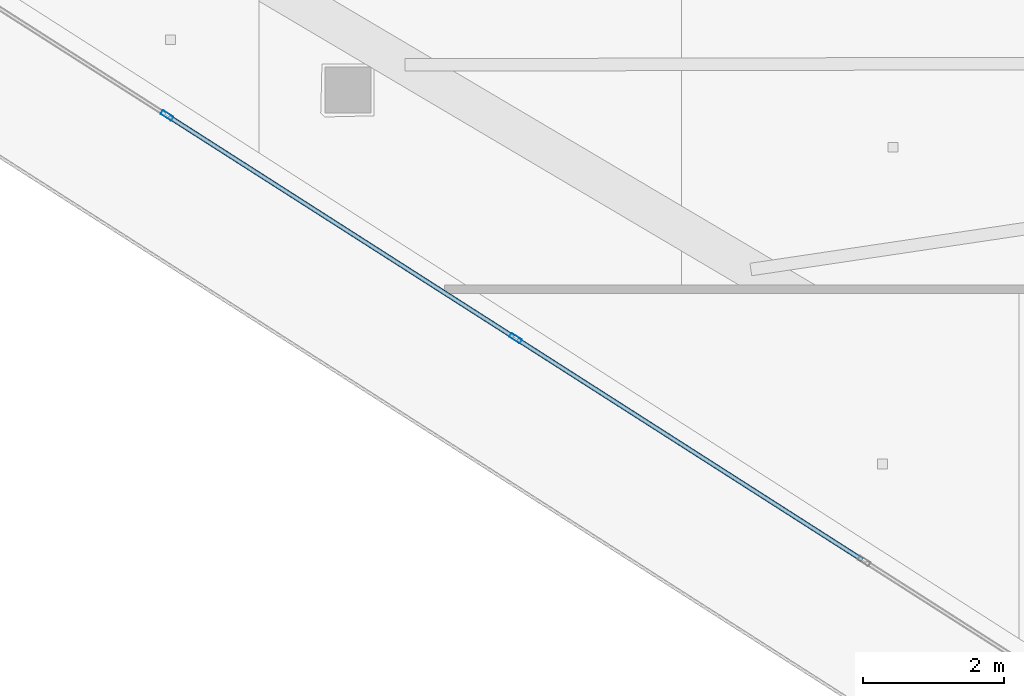
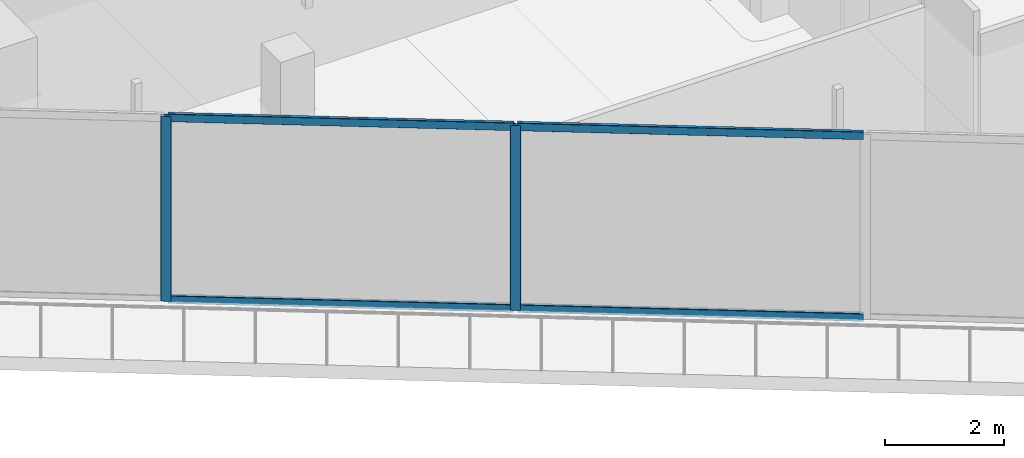
# One storey, part 4 of 35: 6 members, 1 element without a shape of its own.
"""IFC4 building model written with IfcOpenShell, lengths in metres."""

import ifcopenshell
import ifcopenshell.guid

model = None  # the IFC model being written
_history = None  # IfcOwnerHistory: only IFC2X3 demands one
_inside = {}  # id of a spatial element -> (the spatial element, [elements in it])
_under = {}  # id of a project, library or spatial element -> (it, [spatial elements below it])
_declared = {}  # id of a project -> (the project, [libraries it declares])
_typed = {}  # id of a type object -> (the type object, [elements of that type])
_made_of = {}  # id of a material, layer set ... -> (it, [elements and type objects made of it])


def new_model(schema):
    """Start an empty IFC model of exactly this schema.

    Asked for "IFC4X3", IfcOpenShell would pick the latest addendum, in which some entities
    have other attributes; the version numbers below select the first issue.
    IFC2X3 requires an IfcOwnerHistory on every rooted entity: one is made here for all.
    """
    global model, _history
    if schema == "IFC4X3":
        model = ifcopenshell.file(schema_version=(4, 3, 0, 0))
    else:
        model = ifcopenshell.file(schema=schema)
    _inside.clear()
    _under.clear()
    _declared.clear()
    _typed.clear()
    _made_of.clear()
    _history = None
    if model.schema == "IFC2X3":
        org = make("IfcOrganization", Name="unknown")
        user = make(
            "IfcPersonAndOrganization",
            ThePerson=make("IfcPerson", FamilyName="unknown"),
            TheOrganization=org,
        )
        app = make(
            "IfcApplication",
            ApplicationDeveloper=org,
            Version="unknown",
            ApplicationFullName="unknown",
            ApplicationIdentifier="unknown",
        )
        _history = make(
            "IfcOwnerHistory",
            OwningUser=user,
            OwningApplication=app,
            ChangeAction="ADDED",
            CreationDate=0,
        )
    return model


def make(cls, **values):
    """One entity of the class cls with the attributes given. An attribute that is None is left unset."""
    return model.create_entity(
        cls, **{name: value for name, value in values.items() if value is not None}
    )


def rooted(cls, **values):
    """An entity with a GlobalId (a new one), such as an element, a storey or a relation."""
    return make(cls, GlobalId=ifcopenshell.guid.new(), OwnerHistory=_history, **values)


def si_unit(unit_type, name, prefix=None):
    """IfcSIUnit, for example si_unit("LENGTHUNIT", "METRE", prefix="MILLI")."""
    return make("IfcSIUnit", UnitType=unit_type, Prefix=prefix, Name=name)


def assignment(units):
    """IfcUnitAssignment: the units of a project."""
    return None if units is None else make("IfcUnitAssignment", Units=units)


def point(xyz):
    """IfcCartesianPoint."""
    return None if xyz is None else make("IfcCartesianPoint", Coordinates=xyz)


def direction(xyz):
    """IfcDirection."""
    return None if xyz is None else make("IfcDirection", DirectionRatios=xyz)


def frame(location, z_axis=None, x_axis=None):
    """IfcAxis2Placement3D, a coordinate frame: its origin and axes. An axis left out is left unset."""
    return make(
        "IfcAxis2Placement3D",
        Location=point(location),
        Axis=direction(z_axis),
        RefDirection=direction(x_axis),
    )


def frame_2d(location, x_axis=None):
    """IfcAxis2Placement2D, a coordinate frame in the plane: its origin and x axis."""
    return make(
        "IfcAxis2Placement2D", Location=point(location), RefDirection=direction(x_axis)
    )


def origin():
    """The frame at (0, 0, 0) with its axes left unset."""
    return frame((0.0, 0.0, 0.0))


def origin_2d():
    """The frame at (0, 0) in the plane with its x axis left unset."""
    return frame_2d((0.0, 0.0))


def place(relative_to, where):
    """IfcLocalPlacement: puts the frame where relative to a parent placement (None: the world)."""
    return make(
        "IfcLocalPlacement", PlacementRelTo=relative_to, RelativePlacement=where
    )


def context(
    kind, dimensions, precision=None, world=None, true_north=None, identifier=None
):
    """IfcGeometricRepresentationContext, for example the 3D "Model" context."""
    return make(
        "IfcGeometricRepresentationContext",
        ContextIdentifier=identifier,
        ContextType=kind,
        CoordinateSpaceDimension=dimensions,
        Precision=precision,
        WorldCoordinateSystem=world,
        TrueNorth=true_north,
    )


def subcontext(parent, identifier, kind, view, scale=None):
    """IfcGeometricRepresentationSubContext, for example "Body" below "Model"."""
    return make(
        "IfcGeometricRepresentationSubContext",
        ContextIdentifier=identifier,
        ContextType=kind,
        ParentContext=parent,
        TargetScale=scale,
        TargetView=view,
    )


def project(units=None, contexts=None):
    """IfcProject with its units and contexts."""
    return rooted(
        "IfcProject",
        Name="project",
        RepresentationContexts=contexts,
        UnitsInContext=assignment(units),
    )


def spatial(cls, under=None, at=None, **own):
    """A site, building, storey or space (cls), placed at a placement, below another one or the project."""
    s = rooted(cls, ObjectPlacement=at, **own)
    if under is not None:
        _under.setdefault(under.id(), (under, []))[1].append(s)
    return s


def profile(cls, at=None, kind="AREA", **sizes):
    """A parametric profile (cls). Its sizes go by their IFC names, for example OverallWidth=200.0."""
    return make(cls, ProfileType=kind, Position=at, **sizes)


def hollow_rectangle(**sizes):
    """IfcRectangleHollowProfileDef."""
    return profile("IfcRectangleHollowProfileDef", **sizes)


def extrude(swept, where, along, depth):
    """IfcExtrudedAreaSolid: the profile swept, set in the frame where, extruded along a direction by depth."""
    return make(
        "IfcExtrudedAreaSolid",
        SweptArea=swept,
        Position=where,
        ExtrudedDirection=direction(along),
        Depth=depth,
    )


def shape(context_of_items, identifier, shape_type, items):
    """IfcShapeRepresentation: the items that make up one representation, for example the "Body"."""
    return make(
        "IfcShapeRepresentation",
        ContextOfItems=context_of_items,
        RepresentationIdentifier=identifier,
        RepresentationType=shape_type,
        Items=items,
    )


def material(Name=None, Category=None):
    """IfcMaterial."""
    return make("IfcMaterial", Name=Name, Category=Category)


def layer(
    of_material, thickness, ventilated=None, Name=None, Category=None, Priority=None
):
    """IfcMaterialLayer: one layer of a wall or slab, of a material (None: an air gap)."""
    return make(
        "IfcMaterialLayer",
        Material=of_material,
        LayerThickness=thickness,
        IsVentilated=ventilated,
        Name=Name,
        Category=Category,
        Priority=Priority,
    )


def layer_set(layers, Name=None):
    """IfcMaterialLayerSet."""
    return make("IfcMaterialLayerSet", MaterialLayers=layers, LayerSetName=Name)


def material_profile(
    of_material, cross_section, Name=None, Category=None, Priority=None
):
    """IfcMaterialProfile: a cross section and its material."""
    return make(
        "IfcMaterialProfile",
        Name=Name,
        Material=of_material,
        Profile=cross_section,
        Priority=Priority,
        Category=Category,
    )


def profile_set(profiles, Name=None, composite=None):
    """IfcMaterialProfileSet."""
    return make(
        "IfcMaterialProfileSet",
        Name=Name,
        MaterialProfiles=profiles,
        CompositeProfile=composite,
    )


def made_of(thing, what):
    """Note that an element or type object is made of a material, layer set ...; save() writes the relation."""
    if what is not None:
        _made_of.setdefault(what.id(), (what, []))[1].append(thing)
    return thing


def type_object(cls, material=None, **own):
    """A type object (cls), such as IfcWallType, which elements share."""
    return made_of(rooted(cls, **own), material)


def element(
    cls,
    number,
    at=None,
    inside=None,
    cuts=None,
    type_object=None,
    material=None,
    context=None,
    identifier="Body",
    shape_type=None,
    held_by="IfcProductDefinitionShape",
    body=None,
    shapes=None,
    **own,
):
    """One element of the class cls, such as IfcWall. Its Tag is "e" and its number.

    at: its placement. inside: the storey or other place that contains it. cuts: it is an
    opening in that element (IfcRelVoidsElement). A single representation is given by context,
    identifier, shape_type and body (its items); several are given by shapes. held_by: the class
    of the entity that holds the representations. save() writes the other relations.
    """
    e = rooted(cls, Tag="e%d" % number, ObjectPlacement=at, **own)
    if body is not None:
        shapes = [shape(context, identifier, shape_type, body)]
    if shapes is not None:
        e.Representation = make(held_by, Representations=shapes)
    if inside is not None:
        _inside.setdefault(inside.id(), (inside, []))[1].append(e)
    if cuts is not None:
        rooted(
            "IfcRelVoidsElement", RelatingBuildingElement=cuts, RelatedOpeningElement=e
        )
    if type_object is not None:
        _typed.setdefault(type_object.id(), (type_object, []))[1].append(e)
    return made_of(e, material)


def aggregate(whole, parts):
    """IfcRelAggregates: a whole, such as a stair, and the parts it consists of."""
    return rooted("IfcRelAggregates", RelatingObject=whole, RelatedObjects=parts)


def save(model, path):
    """Write the relations noted so far, then the file.

    IfcRelAggregates (storeys below a building ...), IfcRelContainedInSpatialStructure (elements
    in a storey), IfcRelDefinesByType, IfcRelAssociatesMaterial and IfcRelDeclares: one each for
    every whole, place, type object, material and project.
    """
    for whole, parts in _under.values():
        aggregate(whole, parts)
    for where, things in _inside.values():
        rooted(
            "IfcRelContainedInSpatialStructure",
            RelatedElements=things,
            RelatingStructure=where,
        )
    for kind, things in _typed.values():
        rooted("IfcRelDefinesByType", RelatedObjects=things, RelatingType=kind)
    for what, things in _made_of.values():
        rooted("IfcRelAssociatesMaterial", RelatedObjects=things, RelatingMaterial=what)
    for by, libraries in _declared.values():
        rooted("IfcRelDeclares", RelatingContext=by, RelatedDefinitions=libraries)
    model.write(path)


model = new_model("IFC4")

# Units and contexts
model_context = context("Model", 3, precision=1e-05, world=origin(), true_north=direction((0.0, 1.0)))
body_context = subcontext(model_context, "Body", "Model", "MODEL_VIEW")
ifc_project = project(units=[si_unit("LENGTHUNIT", "METRE"), si_unit("AREAUNIT", "SQUARE_METRE"), si_unit("VOLUMEUNIT", "CUBIC_METRE"), si_unit("PLANEANGLEUNIT", "RADIAN"), si_unit("MASSUNIT", "GRAM", prefix="KILO")], contexts=[model_context])

# Site, building, storey
site_placement = place(None, origin())
site = spatial("IfcSite", under=ifc_project, at=site_placement, CompositionType="ELEMENT")
building_placement = place(site_placement, origin())
building = spatial("IfcBuilding", under=site, at=building_placement, Name="Qorvath Tower", CompositionType="ELEMENT")
storey_placement = place(building_placement, frame((0.0, 0.0, 166.5)))
storey = spatial("IfcBuildingStorey", under=building, at=storey_placement, Name="L38", CompositionType="ELEMENT", Elevation=166.5)

# Curtain wall, members
ifc_material_1 = material(Name="Anodised aluminium and triple low-E glass", Category="aluminium")
ifc_layer = layer(ifc_material_1, 0.179931640625)
ifc_layer_set = layer_set([ifc_layer], Name="CW-SYS-3")
curtain_wall_type = type_object("IfcCurtainWallType", Name="CW-SYS-3", PredefinedType="NOTDEFINED", material=ifc_layer_set)
curtain_wall_placement = place(storey_placement, origin())
curtain_wall = element("IfcCurtainWall", 1, at=curtain_wall_placement, inside=storey, type_object=curtain_wall_type, Name="Curtain Wall CW-3 CW-T-L38-2.1", PredefinedType="NOTDEFINED")
ifc_material_2 = material(Name="Anodised aluminium 6063-T6", Category="aluminium")
ifc_material_profile_1 = material_profile(ifc_material_2, hollow_rectangle(XDim=0.06494140625, YDim=0.179931640625, WallThickness=0.00341796875, InnerFilletRadius=0.00341796875, OuterFilletRadius=0.007080078125, at=origin_2d()), Name="CWM 180x65")
ifc_profile_set_1 = profile_set([ifc_material_profile_1], Name="Anodised aluminium 6063-T6")
member_type_1 = type_object("IfcMemberType", Name="CWM-180", PredefinedType="MULLION", material=ifc_profile_set_1)
member_1_placement = place(storey_placement, frame((-51.14208984375, -6.787353515625, 0.0), z_axis=(0.0, 0.0, 1.0), x_axis=(0.538529198867, 0.842606848992, 0.0)))
member_1 = element("IfcMember", 2, at=member_1_placement, type_object=member_type_1, Name="CW-3 mullion 2", PredefinedType="MULLION", context=body_context, shape_type="SweptSolid", body=[
    extrude(hollow_rectangle(XDim=0.06494140625, YDim=0.179931640625, WallThickness=0.00341796875, InnerFilletRadius=0.00341796875, OuterFilletRadius=0.007080078125, at=origin_2d()), origin(), (0.0, 0.0, 1.0), 3.780029296875),
])
member_2_placement = place(storey_placement, frame((-46.203125, -9.94384765625, 0.0), z_axis=(0.0, 0.0, 1.0), x_axis=(0.538529198867, 0.842606848992, 0.0)))
member_2 = element("IfcMember", 3, at=member_2_placement, type_object=member_type_1, Name="CW-3 mullion 3", PredefinedType="MULLION", context=body_context, shape_type="SweptSolid", body=[
    extrude(hollow_rectangle(XDim=0.06494140625, YDim=0.179931640625, WallThickness=0.00341796875, InnerFilletRadius=0.00341796875, OuterFilletRadius=0.007080078125, at=origin_2d()), origin(), (0.0, 0.0, 1.0), 3.780029296875),
])
ifc_material_3 = material(Name="Anodised aluminium 6063-T6", Category="aluminium")
ifc_material_profile_2 = material_profile(ifc_material_3, hollow_rectangle(XDim=0.06494140625, YDim=0.159912109375, WallThickness=0.00341796875, InnerFilletRadius=0.00341796875, OuterFilletRadius=0.007080078125, at=origin_2d()), Name="CWT 160x65")
ifc_profile_set_2 = profile_set([ifc_material_profile_2], Name="Anodised aluminium 6063-T6")
member_type_2 = type_object("IfcMemberType", Name="CWT-160", PredefinedType="USERDEFINED", material=ifc_profile_set_2)
member_3_placement = place(storey_placement, frame((-51.11474609375, -6.8046875, 0.032470703125), z_axis=(0.842612382874, -0.538520540209, 0.0), x_axis=(0.538520540209, 0.842612382874, 0.0)))
member_3 = element("IfcMember", 4, at=member_3_placement, type_object=member_type_2, Name="CW-3 transom 2.1", ObjectType="TRANSOM", PredefinedType="USERDEFINED", context=body_context, shape_type="SweptSolid", body=[
    extrude(hollow_rectangle(XDim=0.06494140625, YDim=0.159912109375, WallThickness=0.00341796875, InnerFilletRadius=0.00341796875, OuterFilletRadius=0.007080078125, at=origin_2d()), origin(), (0.0, 0.0, 1.0), 5.796630859375),
])
member_4_placement = place(storey_placement, frame((-51.11474609375, -6.8046875, 3.74755859375), z_axis=(0.842612382874, -0.538520540209, 0.0), x_axis=(0.538520540209, 0.842612382874, 0.0)))
member_4 = element("IfcMember", 5, at=member_4_placement, type_object=member_type_2, Name="CW-3 transom 2.2", ObjectType="TRANSOM", PredefinedType="USERDEFINED", context=body_context, shape_type="SweptSolid", body=[
    extrude(hollow_rectangle(XDim=0.06494140625, YDim=0.159912109375, WallThickness=0.00341796875, InnerFilletRadius=0.00341796875, OuterFilletRadius=0.007080078125, at=origin_2d()), origin(), (0.0, 0.0, 1.0), 5.796630859375),
])
member_5_placement = place(storey_placement, frame((-46.17578125, -9.96142578125, 0.032470703125), z_axis=(0.842612382874, -0.538520540209, 0.0), x_axis=(0.538520540209, 0.842612382874, 0.0)))
member_5 = element("IfcMember", 6, at=member_5_placement, type_object=member_type_2, Name="CW-3 transom 3.1", ObjectType="TRANSOM", PredefinedType="USERDEFINED", context=body_context, shape_type="SweptSolid", body=[
    extrude(hollow_rectangle(XDim=0.06494140625, YDim=0.159912109375, WallThickness=0.00341796875, InnerFilletRadius=0.00341796875, OuterFilletRadius=0.007080078125, at=origin_2d()), origin(), (0.0, 0.0, 1.0), 5.796630859375),
])
member_6_placement = place(storey_placement, frame((-46.17578125, -9.96142578125, 3.74755859375), z_axis=(0.842612382874, -0.538520540209, 0.0), x_axis=(0.538520540209, 0.842612382874, 0.0)))
member_6 = element("IfcMember", 7, at=member_6_placement, type_object=member_type_2, Name="CW-3 transom 3.2", ObjectType="TRANSOM", PredefinedType="USERDEFINED", context=body_context, shape_type="SweptSolid", body=[
    extrude(hollow_rectangle(XDim=0.06494140625, YDim=0.159912109375, WallThickness=0.00341796875, InnerFilletRadius=0.00341796875, OuterFilletRadius=0.007080078125, at=origin_2d()), origin(), (0.0, 0.0, 1.0), 5.796630859375),
])
aggregate(curtain_wall, [member_1, member_2, member_3, member_4, member_5, member_6])

save(model, "model.ifc")
